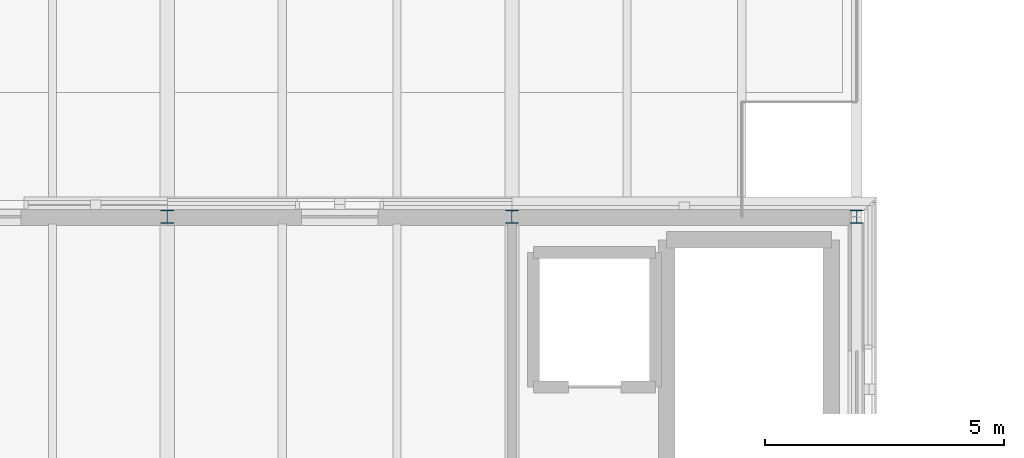
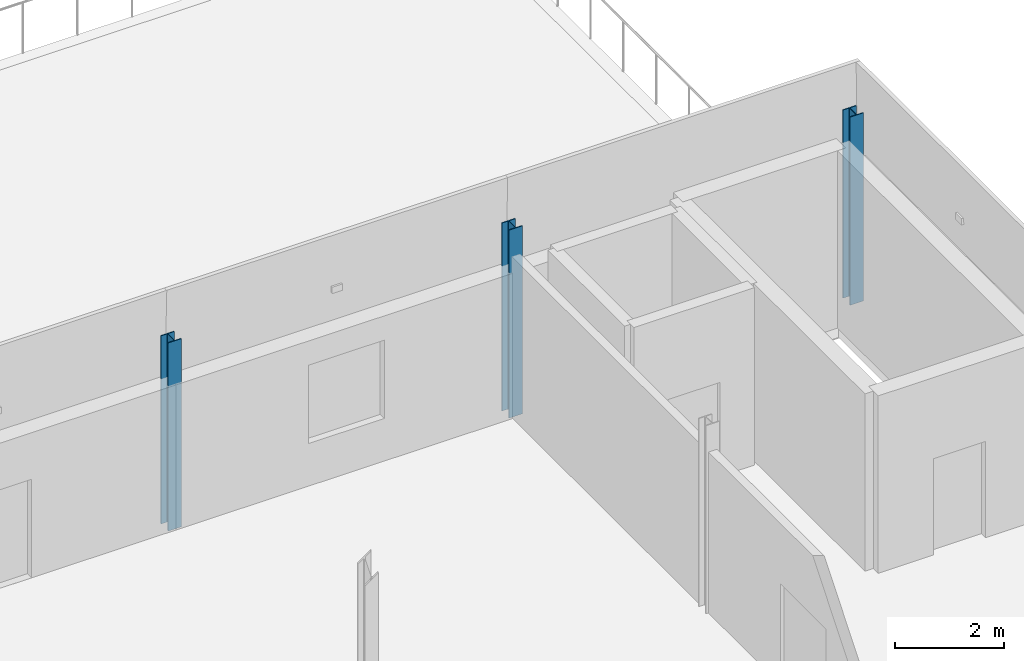
# One storey, part 6 of 66: 3 columns.
"""IFC4 building model written with IfcOpenShell, lengths in metres."""

from ifc_helpers import new_model, si_unit, direction, frame, origin, origin_2d, place, context, subcontext, project, spatial, i_section, extrude, material, material_profile, profile_set, type_object, element, save


model = new_model("IFC4")

# Units and contexts
model_context = context("Model", 3, precision=1e-05, world=origin(), true_north=direction((0.0, 1.0)))
body_context = subcontext(model_context, "Body", "Model", "MODEL_VIEW")
ifc_project = project(units=[si_unit("LENGTHUNIT", "METRE"), si_unit("AREAUNIT", "SQUARE_METRE"), si_unit("VOLUMEUNIT", "CUBIC_METRE"), si_unit("PLANEANGLEUNIT", "RADIAN"), si_unit("MASSUNIT", "GRAM", prefix="KILO")], contexts=[model_context])

# Site, building, storey
site_placement = place(None, origin())
site = spatial("IfcSite", under=ifc_project, at=site_placement, CompositionType="ELEMENT")
building_placement = place(site_placement, origin())
building = spatial("IfcBuilding", under=site, at=building_placement, Name="Narikvali Park Central Library", CompositionType="ELEMENT")
storey_placement = place(building_placement, frame((0.0, 0.0, 18.60009765625)))
storey = spatial("IfcBuildingStorey", under=building, at=storey_placement, Name="L04", CompositionType="ELEMENT", Elevation=18.60009765625)

# Columns
ifc_material = material(Name="Steel S355", Category="steel")
ifc_material_profile = material_profile(ifc_material, i_section(OverallWidth=0.280029296875, OverallDepth=0.280029296875, WebThickness=0.010498046875, FlangeThickness=0.01806640625, FilletRadius=0.02392578125, at=origin_2d()), Name="HEB 280")
ifc_profile_set = profile_set([ifc_material_profile], Name="Steel S355")
column_type = type_object("IfcColumnType", Name="Steel Column HEB280", PredefinedType="COLUMN", material=ifc_profile_set)
for number, where, z_axis, x_axis, name in (
    (1, (43.199951171875, 100.800048828125, 0.0), (0.0, 0.0, 1.0), (1.0, 0.0, 0.0), "V4 L04 Column (43.2,100.8)"),
    (2, (50.39990234375, 100.800048828125, 0.0), (0.0, 0.0, 1.0), (1.0, 0.0, 0.0), "V4 L04 Column (50.4,100.8)"),
    (3, (57.60009765625, 100.800048828125, 0.0), (0.0, 0.0, 1.0), (1.0, 0.0, 0.0), "V4 L04 Column (57.6,100.8)"),
):
    element("IfcColumn", number, at=place(storey_placement, frame(where, z_axis=z_axis, x_axis=x_axis)), inside=storey, type_object=column_type, Name=name, PredefinedType="COLUMN", context=body_context, shape_type="SweptSolid", body=[
        extrude(i_section(OverallWidth=0.280029296875, OverallDepth=0.280029296875, WebThickness=0.010498046875, FlangeThickness=0.01806640625, FilletRadius=0.02392578125, at=origin_2d()), origin(), (0.0, 0.0, 1.0), 4.199951171875),
    ])

save(model, "model.ifc")
